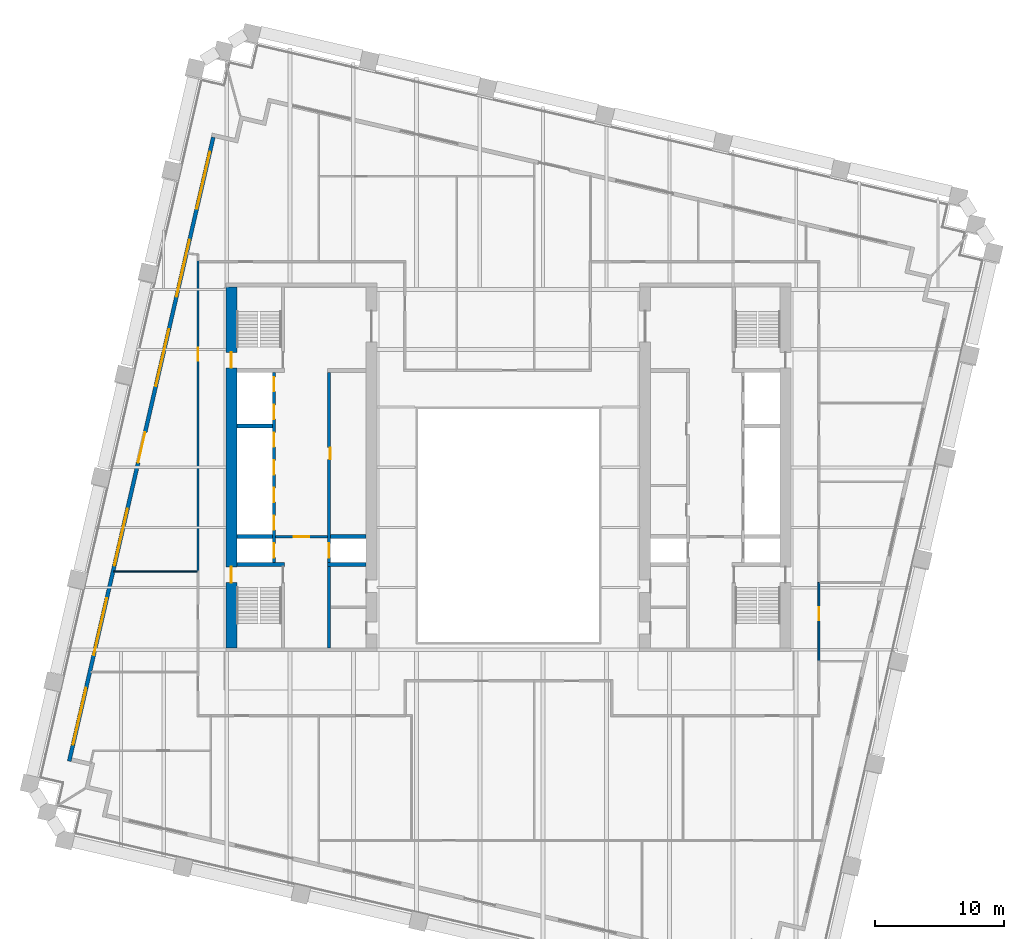
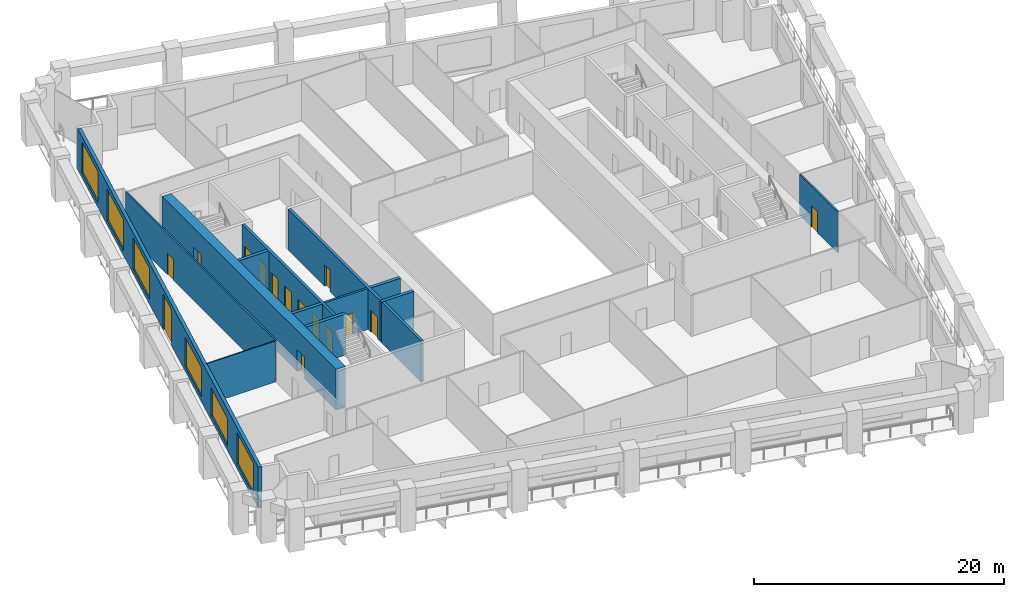
# One storey, part 5 of 9: 15 doors, 13 walls, 6 windows, 21 openings.
"""IFC4 building model written with IfcOpenShell, lengths in metres."""

from ifc_helpers import new_model, si_unit, direction, frame, frame_2d, origin, place, context, subcontext, project, spatial, rectangle, extrude, material, layer, layer_set, type_object, element, fill, save


model = new_model("IFC4")

# Units and contexts
model_context = context("Model", 3, precision=1e-05, world=origin(), true_north=direction((0.0, 1.0)))
body_context = subcontext(model_context, "Body", "Model", "MODEL_VIEW")
ifc_project = project(units=[si_unit("LENGTHUNIT", "METRE"), si_unit("AREAUNIT", "SQUARE_METRE"), si_unit("VOLUMEUNIT", "CUBIC_METRE"), si_unit("PLANEANGLEUNIT", "RADIAN"), si_unit("MASSUNIT", "GRAM", prefix="KILO")], contexts=[model_context])

# Site, building, storey
site_placement = place(None, origin())
site = spatial("IfcSite", under=ifc_project, at=site_placement, CompositionType="ELEMENT")
building_placement = place(site_placement, origin())
building = spatial("IfcBuilding", under=site, at=building_placement, Name="Ogive Exchange Tower", CompositionType="ELEMENT")
storey_placement = place(building_placement, frame((0.0, 0.0, 122.39990234375)))
storey = spatial("IfcBuildingStorey", under=building, at=storey_placement, Name="L26", CompositionType="ELEMENT", Elevation=122.39990234375)

# Wall, opening, door
ifc_material_1 = material(Name="Fire partition EI 60 150")
ifc_layer_1 = layer(ifc_material_1, 0.14990234375)
ifc_layer_set_1 = layer_set([ifc_layer_1], Name="Fire partition EI 60 150")
wall_type_1 = type_object("IfcWallType", Name="Fire partition EI 60 150", PredefinedType="PARTITIONING", material=ifc_layer_set_1)
wall_1_placement = place(storey_placement, frame((-24.0, 3.449951171875, 0.0), z_axis=(0.0, 0.0, 1.0), x_axis=(0.0, 1.0, 0.0)))
wall_1 = element("IfcWall", 1, at=wall_1_placement, inside=storey, type_object=wall_type_1, Name="L26-PWL-007", PredefinedType="PARTITIONING", context=body_context, shape_type="SweptSolid", body=[
    extrude(rectangle(XDim=24.025146484375, YDim=0.14990234375, at=frame_2d((12.0126953125, 0.0))), origin(), (0.0, 0.0, 1.0), 4.0),
])
opening_1_placement = place(wall_1_placement, frame((16.300048828125, 0.0, 0.0)))
opening_1 = element("IfcOpeningElement", 2, at=opening_1_placement, cuts=wall_1, Name="Opening L26-I19", PredefinedType="OPENING", context=body_context, shape_type="SweptSolid", body=[
    extrude(rectangle(XDim=1.0, YDim=2.10009765625, at=frame_2d((0.5, 1.050048828125))), frame((0.0, 0.0849609375, 0.0), z_axis=(0.0, -1.0, 0.0), x_axis=(1.0, 0.0, 0.0)), (0.0, 0.0, 1.0), 0.169921875),
])
ifc_material_2 = material(Name="Fire door FD 30S 1000 x 2100")
door_type_1 = type_object("IfcDoorType", Name="Fire door FD 30S 1000 x 2100", OperationType="NOTDEFINED", PredefinedType="DOOR", material=ifc_material_2)
door_1_placement = place(opening_1_placement, origin())
door_1 = element("IfcDoor", 3, at=door_1_placement, inside=storey, type_object=door_type_1, Name="L26-IDR-019", ObjectType="DT3", OperationType="SINGLE_SWING_LEFT", OverallHeight=2.10009765625, OverallWidth=1.0, PredefinedType="DOOR", context=body_context, shape_type="SweptSolid", body=[
    extrude(rectangle(XDim=1.0, YDim=2.10009765625, at=frame_2d((0.5, 1.050048828125))), frame((0.0, 0.02490234375, 0.0), z_axis=(0.0, -1.0, 0.0), x_axis=(1.0, 0.0, 0.0)), (0.0, 0.0, 1.0), 0.050048828125),
])
fill(opening_1, door_1)

wall_2_placement = place(storey_placement, frame((24.0, 2.610107421875, 0.0), z_axis=(0.0, 0.0, 1.0), x_axis=(0.0, -1.0, 0.0)))
wall_2 = element("IfcWall", 4, at=wall_2_placement, inside=storey, type_object=wall_type_1, Name="L26-PWL-059", PredefinedType="PARTITIONING", context=body_context, shape_type="SweptSolid", body=[
    extrude(rectangle(XDim=6.090087890625, YDim=0.14990234375, at=frame_2d((3.044921875, 0.0))), origin(), (0.0, 0.0, 1.0), 4.0),
])
opening_2_placement = place(wall_2_placement, frame((1.93994140625, 0.0, 0.0)))
opening_2 = element("IfcOpeningElement", 5, at=opening_2_placement, cuts=wall_2, Name="Opening L26-I08", PredefinedType="OPENING", context=body_context, shape_type="SweptSolid", body=[
    extrude(rectangle(XDim=1.0, YDim=2.10009765625, at=frame_2d((0.5, 1.050048828125))), frame((0.0, 0.0849609375, 0.0), z_axis=(0.0, -1.0, 0.0), x_axis=(1.0, 0.0, 0.0)), (0.0, 0.0, 1.0), 0.169921875),
])
door_2_placement = place(opening_2_placement, origin())
door_2 = element("IfcDoor", 6, at=door_2_placement, inside=storey, type_object=door_type_1, Name="L26-IDR-008", ObjectType="DT3", OperationType="SINGLE_SWING_RIGHT", OverallHeight=2.10009765625, OverallWidth=1.0, PredefinedType="DOOR", context=body_context, shape_type="SweptSolid", body=[
    extrude(rectangle(XDim=1.0, YDim=2.10009765625, at=frame_2d((0.5, 1.050048828125))), frame((0.0, 0.02490234375, 0.0), z_axis=(0.0, -1.0, 0.0), x_axis=(1.0, 0.0, 0.0)), (0.0, 0.0, 1.0), 0.050048828125),
])
fill(opening_2, door_2)

# Wall, openings, door, windows
ifc_material_3 = material(Name="Precast concrete C40/50", Category="concrete")
ifc_layer_2 = layer(ifc_material_3, 0.300048828125)
ifc_layer_set_2 = layer_set([ifc_layer_2], Name="Limestone-faced wall 300")
wall_type_2 = type_object("IfcWallType", Name="Limestone-faced wall 300", PredefinedType="STANDARD", material=ifc_layer_set_2)
wall_3_placement = place(storey_placement, frame((-22.8203125, 37.015625, 0.0), z_axis=(0.0, 0.0, 1.0), x_axis=(-0.224953880882, -0.974369412223, 0.0)))
wall_3 = element("IfcWall", 7, at=wall_3_placement, inside=storey, type_object=wall_type_2, Name="External wall W4", PredefinedType="STANDARD", context=body_context, shape_type="SweptSolid", body=[
    extrude(rectangle(XDim=49.500244140625, YDim=0.300048828125, at=frame_2d((24.75, 0.0))), origin(), (0.0, 0.0, 1.0), 4.0),
])
opening_3_placement = place(wall_3_placement, frame((1.156982421875, 0.0, 0.449951171875)))
opening_3 = element("IfcOpeningElement", 8, at=opening_3_placement, cuts=wall_3, Name="Opening W1", PredefinedType="OPENING", context=body_context, shape_type="SweptSolid", body=[
    extrude(rectangle(XDim=4.5, YDim=3.050048828125, at=frame_2d((2.25, 1.52490234375))), frame((0.0, 0.159912109375, 0.0), z_axis=(0.0, -1.0, 0.0), x_axis=(1.0, 0.0, 0.0)), (0.0, 0.0, 1.0), 0.320068359375),
])
opening_4_placement = place(wall_3_placement, frame((8.121337890625, 0.0, 0.449951171875)))
opening_4 = element("IfcOpeningElement", 9, at=opening_4_placement, cuts=wall_3, Name="Opening W1", PredefinedType="OPENING", context=body_context, shape_type="SweptSolid", body=[
    extrude(rectangle(XDim=4.5, YDim=3.050048828125, at=frame_2d((2.25, 1.52490234375))), frame((0.0, 0.159912109375, 0.0), z_axis=(0.0, -1.0, 0.0), x_axis=(1.0, 0.0, 0.0)), (0.0, 0.0, 1.0), 0.320068359375),
])
opening_5_placement = place(wall_3_placement, frame((15.235595703125, 0.0, 0.449951171875)))
opening_5 = element("IfcOpeningElement", 10, at=opening_5_placement, cuts=wall_3, Name="Opening W1", PredefinedType="OPENING", context=body_context, shape_type="SweptSolid", body=[
    extrude(rectangle(XDim=4.5, YDim=3.050048828125, at=frame_2d((2.25, 1.52490234375))), frame((0.0, 0.159912109375, 0.0), z_axis=(0.0, -1.0, 0.0), x_axis=(1.0, 0.0, 0.0)), (0.0, 0.0, 1.0), 0.320068359375),
])
opening_6_placement = place(wall_3_placement, frame((23.39990234375, 0.0, 0.0)))
opening_6 = element("IfcOpeningElement", 11, at=opening_6_placement, cuts=wall_3, Name="Opening D1", PredefinedType="OPENING", context=body_context, shape_type="SweptSolid", body=[
    extrude(rectangle(XDim=2.39990234375, YDim=3.5, at=frame_2d((1.199951171875, 1.75))), frame((0.0, 0.159912109375, 0.0), z_axis=(0.0, -1.0, 0.0), x_axis=(1.0, 0.0, 0.0)), (0.0, 0.0, 1.0), 0.320068359375),
])
opening_7_placement = place(wall_3_placement, frame((29.464111328125, 0.0, 0.449951171875)))
opening_7 = element("IfcOpeningElement", 12, at=opening_7_placement, cuts=wall_3, Name="Opening W1D", PredefinedType="OPENING", context=body_context, shape_type="SweptSolid", body=[
    extrude(rectangle(XDim=4.5, YDim=2.875, at=frame_2d((2.25, 1.4375))), frame((0.0, 0.159912109375, 0.0), z_axis=(0.0, -1.0, 0.0), x_axis=(1.0, 0.0, 0.0)), (0.0, 0.0, 1.0), 0.320068359375),
])
opening_8_placement = place(wall_3_placement, frame((36.57861328125, 0.0, 0.449951171875)))
opening_8 = element("IfcOpeningElement", 13, at=opening_8_placement, cuts=wall_3, Name="Opening W1J", PredefinedType="OPENING", context=body_context, shape_type="SweptSolid", body=[
    extrude(rectangle(XDim=4.5, YDim=2.675048828125, at=frame_2d((2.25, 1.33740234375))), frame((0.0, 0.159912109375, 0.0), z_axis=(0.0, -1.0, 0.0), x_axis=(1.0, 0.0, 0.0)), (0.0, 0.0, 1.0), 0.320068359375),
])
opening_9_placement = place(wall_3_placement, frame((43.69287109375, 0.0, 0.449951171875)))
opening_9 = element("IfcOpeningElement", 14, at=opening_9_placement, cuts=wall_3, Name="Opening W1", PredefinedType="OPENING", context=body_context, shape_type="SweptSolid", body=[
    extrude(rectangle(XDim=4.5, YDim=3.050048828125, at=frame_2d((2.25, 1.52490234375))), frame((0.0, 0.159912109375, 0.0), z_axis=(0.0, -1.0, 0.0), x_axis=(1.0, 0.0, 0.0)), (0.0, 0.0, 1.0), 0.320068359375),
])
ifc_material_4 = material(Name="Clear glass in bronze frame", Category="glass")
door_type_2 = type_object("IfcDoorType", Name="Sliding loggia door 2400 x 3500", OperationType="DOUBLE_DOOR_SLIDING", PredefinedType="DOOR", material=ifc_material_4)
door_3_placement = place(opening_6_placement, origin())
door_3 = element("IfcDoor", 15, at=door_3_placement, inside=storey, type_object=door_type_2, Name="Loggia door W03", OperationType="DOUBLE_DOOR_SLIDING", OverallHeight=3.5, OverallWidth=2.39990234375, PredefinedType="DOOR", context=body_context, shape_type="SweptSolid", body=[
    extrude(rectangle(XDim=2.39990234375, YDim=3.5, at=frame_2d((1.199951171875, 1.75))), frame((0.0, 0.02490234375, 0.0), z_axis=(0.0, -1.0, 0.0), x_axis=(1.0, 0.0, 0.0)), (0.0, 0.0, 1.0), 0.050048828125),
])
fill(opening_6, door_3)
window_type_1 = type_object("IfcWindowType", Name="Twin lancet window 4500 x 2675", PartitioningType="DOUBLE_PANEL_VERTICAL", PredefinedType="WINDOW", material=ifc_material_4)
window_1_placement = place(opening_8_placement, origin())
window_1 = element("IfcWindow", 16, at=window_1_placement, inside=storey, type_object=window_type_1, Name="Window W05", OverallHeight=2.675048828125, OverallWidth=4.5, PartitioningType="DOUBLE_PANEL_VERTICAL", PredefinedType="WINDOW", context=body_context, shape_type="SweptSolid", body=[
    extrude(rectangle(XDim=4.5, YDim=2.675048828125, at=frame_2d((2.25, 1.33740234375))), frame((0.0, 0.030029296875, 0.0), z_axis=(0.0, -1.0, 0.0), x_axis=(1.0, 0.0, 0.0)), (0.0, 0.0, 1.0), 0.06005859375),
])
fill(opening_8, window_1)
window_type_2 = type_object("IfcWindowType", Name="Twin lancet window 4500 x 2875", PartitioningType="DOUBLE_PANEL_VERTICAL", PredefinedType="WINDOW", material=ifc_material_4)
window_2_placement = place(opening_7_placement, origin())
window_2 = element("IfcWindow", 17, at=window_2_placement, inside=storey, type_object=window_type_2, Name="Window W04", OverallHeight=2.875, OverallWidth=4.5, PartitioningType="DOUBLE_PANEL_VERTICAL", PredefinedType="WINDOW", context=body_context, shape_type="SweptSolid", body=[
    extrude(rectangle(XDim=4.5, YDim=2.875, at=frame_2d((2.25, 1.4375))), frame((0.0, 0.030029296875, 0.0), z_axis=(0.0, -1.0, 0.0), x_axis=(1.0, 0.0, 0.0)), (0.0, 0.0, 1.0), 0.06005859375),
])
fill(opening_7, window_2)
window_type_3 = type_object("IfcWindowType", Name="Twin lancet window 4500 x 3050", PartitioningType="DOUBLE_PANEL_VERTICAL", PredefinedType="WINDOW", material=ifc_material_4)
window_3_placement = place(opening_3_placement, origin())
window_3 = element("IfcWindow", 18, at=window_3_placement, inside=storey, type_object=window_type_3, Name="Window W00", OverallHeight=3.050048828125, OverallWidth=4.5, PartitioningType="DOUBLE_PANEL_VERTICAL", PredefinedType="WINDOW", context=body_context, shape_type="SweptSolid", body=[
    extrude(rectangle(XDim=4.5, YDim=3.050048828125, at=frame_2d((2.25, 1.52490234375))), frame((0.0, 0.030029296875, 0.0), z_axis=(0.0, -1.0, 0.0), x_axis=(1.0, 0.0, 0.0)), (0.0, 0.0, 1.0), 0.06005859375),
])
fill(opening_3, window_3)
window_4_placement = place(opening_4_placement, origin())
window_4 = element("IfcWindow", 19, at=window_4_placement, inside=storey, type_object=window_type_3, Name="Window W01", OverallHeight=3.050048828125, OverallWidth=4.5, PartitioningType="DOUBLE_PANEL_VERTICAL", PredefinedType="WINDOW", context=body_context, shape_type="SweptSolid", body=[
    extrude(rectangle(XDim=4.5, YDim=3.050048828125, at=frame_2d((2.25, 1.52490234375))), frame((0.0, 0.030029296875, 0.0), z_axis=(0.0, -1.0, 0.0), x_axis=(1.0, 0.0, 0.0)), (0.0, 0.0, 1.0), 0.06005859375),
])
fill(opening_4, window_4)
window_5_placement = place(opening_5_placement, origin())
window_5 = element("IfcWindow", 20, at=window_5_placement, inside=storey, type_object=window_type_3, Name="Window W02", OverallHeight=3.050048828125, OverallWidth=4.5, PartitioningType="DOUBLE_PANEL_VERTICAL", PredefinedType="WINDOW", context=body_context, shape_type="SweptSolid", body=[
    extrude(rectangle(XDim=4.5, YDim=3.050048828125, at=frame_2d((2.25, 1.52490234375))), frame((0.0, 0.030029296875, 0.0), z_axis=(0.0, -1.0, 0.0), x_axis=(1.0, 0.0, 0.0)), (0.0, 0.0, 1.0), 0.06005859375),
])
fill(opening_5, window_5)
window_6_placement = place(opening_9_placement, origin())
window_6 = element("IfcWindow", 21, at=window_6_placement, inside=storey, type_object=window_type_3, Name="Window W06", OverallHeight=3.050048828125, OverallWidth=4.5, PartitioningType="DOUBLE_PANEL_VERTICAL", PredefinedType="WINDOW", context=body_context, shape_type="SweptSolid", body=[
    extrude(rectangle(XDim=4.5, YDim=3.050048828125, at=frame_2d((2.25, 1.52490234375))), frame((0.0, 0.030029296875, 0.0), z_axis=(0.0, -1.0, 0.0), x_axis=(1.0, 0.0, 0.0)), (0.0, 0.0, 1.0), 0.06005859375),
])
fill(opening_9, window_6)

# Wall
ifc_material_5 = material(Name="Partition 100 gypsum")
ifc_layer_3 = layer(ifc_material_5, 0.10009765625)
ifc_layer_set_3 = layer_set([ifc_layer_3], Name="Partition 100 gypsum")
wall_type_3 = type_object("IfcWallType", Name="Partition 100 gypsum", PredefinedType="PARTITIONING", material=ifc_layer_set_3)
wall_4_placement = place(storey_placement, frame((-24.074951171875, 3.449951171875, 0.0), z_axis=(0.0, 0.0, 1.0), x_axis=(-1.0, 0.0, 0.0)))
element("IfcWall", 22, at=wall_4_placement, inside=storey, type_object=wall_type_3, Name="L26-PWL-006", PredefinedType="PARTITIONING", context=body_context, shape_type="SweptSolid", body=[
    extrude(rectangle(XDim=6.423095703125, YDim=0.10009765625, at=frame_2d((3.21142578125, 0.0))), origin(), (0.0, 0.0, 1.0), 4.0),
])

# Wall, opening, door
ifc_material_6 = material(Name="Concrete C70/85", Category="concrete")
ifc_layer_4 = layer(ifc_material_6, 0.199951171875)
ifc_layer_set_4 = layer_set([ifc_layer_4], Name="RC core wall 200 C70/85")
wall_type_4 = type_object("IfcWallType", Name="RC core wall 200 C70/85", PredefinedType="SHEAR", material=ifc_layer_set_4)
wall_5_placement = place(storey_placement, frame((-18.0, 6.142822265625, 0.0), z_axis=(0.0, 0.0, 1.0), x_axis=(1.0, 0.0, 0.0)))
wall_5 = element("IfcWall", 23, at=wall_5_placement, inside=storey, type_object=wall_type_4, Name="W firefighting lobby wall", PredefinedType="SHEAR", context=body_context, shape_type="SweptSolid", body=[
    extrude(rectangle(XDim=4.0, YDim=0.199951171875, at=frame_2d((2.0, 0.0))), origin(), (0.0, 0.0, 1.0), 4.0),
])
opening_10_placement = place(wall_5_placement, frame((1.39990234375, 0.0, 0.0)))
opening_10 = element("IfcOpeningElement", 24, at=opening_10_placement, cuts=wall_5, Name="Opening L26-C10", PredefinedType="OPENING", context=body_context, shape_type="SweptSolid", body=[
    extrude(rectangle(XDim=1.199951171875, YDim=2.10009765625, at=frame_2d((0.60009765625, 1.050048828125))), frame((0.0, 0.10986328125, 0.0), z_axis=(0.0, -1.0, 0.0), x_axis=(1.0, 0.0, 0.0)), (0.0, 0.0, 1.0), 0.219970703125),
])
ifc_material_7 = material(Name="Steel fire door", Category="steel")
door_type_3 = type_object("IfcDoorType", Name="Firefighting lobby door FD60 1200 x 2100", OperationType="NOTDEFINED", PredefinedType="DOOR", material=ifc_material_7)
door_4_placement = place(opening_10_placement, frame((1.199951171875, 0.0, 0.0), z_axis=(0.0, 0.0, 1.0), x_axis=(-1.0, 0.0, 0.0)))
door_4 = element("IfcDoor", 25, at=door_4_placement, inside=storey, type_object=door_type_3, Name="Firefighting lobby door", ObjectType="CD3", OperationType="SINGLE_SWING_RIGHT", OverallHeight=2.10009765625, OverallWidth=1.199951171875, PredefinedType="DOOR", context=body_context, shape_type="SweptSolid", body=[
    extrude(rectangle(XDim=1.199951171875, YDim=2.10009765625, at=frame_2d((0.60009765625, 1.050048828125))), frame((0.0, 0.02490234375, 0.0), z_axis=(0.0, -1.0, 0.0), x_axis=(1.0, 0.0, 0.0)), (0.0, 0.0, 1.0), 0.050048828125),
])
fill(opening_10, door_4)

# Wall, openings, doors
ifc_layer_5 = layer(ifc_material_6, 0.25)
ifc_layer_set_5 = layer_set([ifc_layer_5], Name="RC core wall 250 C70/85")
wall_type_5 = type_object("IfcWallType", Name="RC core wall 250 C70/85", PredefinedType="SHEAR", material=ifc_layer_set_5)
wall_6_placement = place(storey_placement, frame((-18.125, 4.14990234375, 0.0), z_axis=(0.0, 0.0, 1.0), x_axis=(0.0, 1.0, 0.0)))
wall_6 = element("IfcWall", 26, at=wall_6_placement, inside=storey, type_object=wall_type_5, Name="W row A front wall", PredefinedType="SHEAR", context=body_context, shape_type="SweptSolid", body=[
    extrude(rectangle(XDim=14.7001953125, YDim=0.25, at=frame_2d((7.35009765625, 0.0))), origin(), (0.0, 0.0, 1.0), 4.0),
])
opening_11_placement = place(wall_6_placement, frame((0.371337890625, 0.0, 0.0)))
opening_11 = element("IfcOpeningElement", 27, at=opening_11_placement, cuts=wall_6, Name="Opening L26-C01", PredefinedType="OPENING", context=body_context, shape_type="SweptSolid", body=[
    extrude(rectangle(XDim=1.10009765625, YDim=2.10009765625, at=frame_2d((0.550048828125, 1.050048828125))), frame((0.0, 0.135009765625, 0.0), z_axis=(0.0, -1.0, 0.0), x_axis=(1.0, 0.0, 0.0)), (0.0, 0.0, 1.0), 0.27001953125),
])
opening_12_placement = place(wall_6_placement, frame((2.514404296875, 0.0, 0.0)))
opening_12 = element("IfcOpeningElement", 28, at=opening_12_placement, cuts=wall_6, Name="Opening L26-C02", PredefinedType="OPENING", context=body_context, shape_type="SweptSolid", body=[
    extrude(rectangle(XDim=1.10009765625, YDim=2.10009765625, at=frame_2d((0.550048828125, 1.050048828125))), frame((0.0, 0.135009765625, 0.0), z_axis=(0.0, -1.0, 0.0), x_axis=(1.0, 0.0, 0.0)), (0.0, 0.0, 1.0), 0.27001953125),
])
opening_13_placement = place(wall_6_placement, frame((4.656982421875, 0.0, 0.0)))
opening_13 = element("IfcOpeningElement", 29, at=opening_13_placement, cuts=wall_6, Name="Opening L26-C03", PredefinedType="OPENING", context=body_context, shape_type="SweptSolid", body=[
    extrude(rectangle(XDim=1.10009765625, YDim=2.10009765625, at=frame_2d((0.550048828125, 1.050048828125))), frame((0.0, 0.135009765625, 0.0), z_axis=(0.0, -1.0, 0.0), x_axis=(1.0, 0.0, 0.0)), (0.0, 0.0, 1.0), 0.27001953125),
])
opening_14_placement = place(wall_6_placement, frame((6.800048828125, 0.0, 0.0)))
opening_14 = element("IfcOpeningElement", 30, at=opening_14_placement, cuts=wall_6, Name="Opening L26-C04", PredefinedType="OPENING", context=body_context, shape_type="SweptSolid", body=[
    extrude(rectangle(XDim=1.10009765625, YDim=2.10009765625, at=frame_2d((0.550048828125, 1.050048828125))), frame((0.0, 0.135009765625, 0.0), z_axis=(0.0, -1.0, 0.0), x_axis=(1.0, 0.0, 0.0)), (0.0, 0.0, 1.0), 0.27001953125),
])
opening_15_placement = place(wall_6_placement, frame((8.94287109375, 0.0, 0.0)))
opening_15 = element("IfcOpeningElement", 31, at=opening_15_placement, cuts=wall_6, Name="Opening L26-C05", PredefinedType="OPENING", context=body_context, shape_type="SweptSolid", body=[
    extrude(rectangle(XDim=1.10009765625, YDim=2.10009765625, at=frame_2d((0.550048828125, 1.050048828125))), frame((0.0, 0.135009765625, 0.0), z_axis=(0.0, -1.0, 0.0), x_axis=(1.0, 0.0, 0.0)), (0.0, 0.0, 1.0), 0.27001953125),
])
opening_16_placement = place(wall_6_placement, frame((11.085693359375, 0.0, 0.0)))
opening_16 = element("IfcOpeningElement", 32, at=opening_16_placement, cuts=wall_6, Name="Opening L26-C06", PredefinedType="OPENING", context=body_context, shape_type="SweptSolid", body=[
    extrude(rectangle(XDim=1.10009765625, YDim=2.10009765625, at=frame_2d((0.550048828125, 1.050048828125))), frame((0.0, 0.135009765625, 0.0), z_axis=(0.0, -1.0, 0.0), x_axis=(1.0, 0.0, 0.0)), (0.0, 0.0, 1.0), 0.27001953125),
])
opening_17_placement = place(wall_6_placement, frame((13.228515625, 0.0, 0.0)))
opening_17 = element("IfcOpeningElement", 33, at=opening_17_placement, cuts=wall_6, Name="Opening L26-C07", PredefinedType="OPENING", context=body_context, shape_type="SweptSolid", body=[
    extrude(rectangle(XDim=1.10009765625, YDim=2.10009765625, at=frame_2d((0.550048828125, 1.050048828125))), frame((0.0, 0.135009765625, 0.0), z_axis=(0.0, -1.0, 0.0), x_axis=(1.0, 0.0, 0.0)), (0.0, 0.0, 1.0), 0.27001953125),
])
ifc_material_8 = material(Name="Stainless steel", Category="steel")
door_type_4 = type_object("IfcDoorType", Name="Lift landing door FD90 1100 x 2100", OperationType="SLIDING_TO_LEFT", PredefinedType="DOOR", material=ifc_material_8)
door_5_placement = place(opening_11_placement, origin())
door_5 = element("IfcDoor", 34, at=door_5_placement, inside=storey, type_object=door_type_4, Name="Lift landing door FF1", ObjectType="LD", OperationType="SLIDING_TO_LEFT", OverallHeight=2.10009765625, OverallWidth=1.10009765625, PredefinedType="DOOR", context=body_context, shape_type="SweptSolid", body=[
    extrude(rectangle(XDim=1.10009765625, YDim=2.10009765625, at=frame_2d((0.550048828125, 1.050048828125))), frame((0.0, 0.02490234375, 0.0), z_axis=(0.0, -1.0, 0.0), x_axis=(1.0, 0.0, 0.0)), (0.0, 0.0, 1.0), 0.050048828125),
])
fill(opening_11, door_5)
door_6_placement = place(opening_12_placement, origin())
door_6 = element("IfcDoor", 35, at=door_6_placement, inside=storey, type_object=door_type_4, Name="Lift landing door W-L1", ObjectType="LD", OperationType="SLIDING_TO_LEFT", OverallHeight=2.10009765625, OverallWidth=1.10009765625, PredefinedType="DOOR", context=body_context, shape_type="SweptSolid", body=[
    extrude(rectangle(XDim=1.10009765625, YDim=2.10009765625, at=frame_2d((0.550048828125, 1.050048828125))), frame((0.0, 0.02490234375, 0.0), z_axis=(0.0, -1.0, 0.0), x_axis=(1.0, 0.0, 0.0)), (0.0, 0.0, 1.0), 0.050048828125),
])
fill(opening_12, door_6)
door_7_placement = place(opening_13_placement, origin())
door_7 = element("IfcDoor", 36, at=door_7_placement, inside=storey, type_object=door_type_4, Name="Lift landing door W-L2", ObjectType="LD", OperationType="SLIDING_TO_LEFT", OverallHeight=2.10009765625, OverallWidth=1.10009765625, PredefinedType="DOOR", context=body_context, shape_type="SweptSolid", body=[
    extrude(rectangle(XDim=1.10009765625, YDim=2.10009765625, at=frame_2d((0.550048828125, 1.050048828125))), frame((0.0, 0.02490234375, 0.0), z_axis=(0.0, -1.0, 0.0), x_axis=(1.0, 0.0, 0.0)), (0.0, 0.0, 1.0), 0.050048828125),
])
fill(opening_13, door_7)
door_8_placement = place(opening_14_placement, origin())
door_8 = element("IfcDoor", 37, at=door_8_placement, inside=storey, type_object=door_type_4, Name="Lift landing door W-L3", ObjectType="LD", OperationType="SLIDING_TO_LEFT", OverallHeight=2.10009765625, OverallWidth=1.10009765625, PredefinedType="DOOR", context=body_context, shape_type="SweptSolid", body=[
    extrude(rectangle(XDim=1.10009765625, YDim=2.10009765625, at=frame_2d((0.550048828125, 1.050048828125))), frame((0.0, 0.02490234375, 0.0), z_axis=(0.0, -1.0, 0.0), x_axis=(1.0, 0.0, 0.0)), (0.0, 0.0, 1.0), 0.050048828125),
])
fill(opening_14, door_8)
door_9_placement = place(opening_15_placement, origin())
door_9 = element("IfcDoor", 38, at=door_9_placement, inside=storey, type_object=door_type_4, Name="Lift landing door W-L4", ObjectType="LD", OperationType="SLIDING_TO_LEFT", OverallHeight=2.10009765625, OverallWidth=1.10009765625, PredefinedType="DOOR", context=body_context, shape_type="SweptSolid", body=[
    extrude(rectangle(XDim=1.10009765625, YDim=2.10009765625, at=frame_2d((0.550048828125, 1.050048828125))), frame((0.0, 0.02490234375, 0.0), z_axis=(0.0, -1.0, 0.0), x_axis=(1.0, 0.0, 0.0)), (0.0, 0.0, 1.0), 0.050048828125),
])
fill(opening_15, door_9)
door_10_placement = place(opening_16_placement, origin())
door_10 = element("IfcDoor", 39, at=door_10_placement, inside=storey, type_object=door_type_4, Name="Lift landing door W-SH1", ObjectType="LD", OperationType="SLIDING_TO_LEFT", OverallHeight=2.10009765625, OverallWidth=1.10009765625, PredefinedType="DOOR", context=body_context, shape_type="SweptSolid", body=[
    extrude(rectangle(XDim=1.10009765625, YDim=2.10009765625, at=frame_2d((0.550048828125, 1.050048828125))), frame((0.0, 0.02490234375, 0.0), z_axis=(0.0, -1.0, 0.0), x_axis=(1.0, 0.0, 0.0)), (0.0, 0.0, 1.0), 0.050048828125),
])
fill(opening_16, door_10)
door_11_placement = place(opening_17_placement, origin())
door_11 = element("IfcDoor", 40, at=door_11_placement, inside=storey, type_object=door_type_4, Name="Lift landing door W-SH2", ObjectType="LD", OperationType="SLIDING_TO_LEFT", OverallHeight=2.10009765625, OverallWidth=1.10009765625, PredefinedType="DOOR", context=body_context, shape_type="SweptSolid", body=[
    extrude(rectangle(XDim=1.10009765625, YDim=2.10009765625, at=frame_2d((0.550048828125, 1.050048828125))), frame((0.0, 0.02490234375, 0.0), z_axis=(0.0, -1.0, 0.0), x_axis=(1.0, 0.0, 0.0)), (0.0, 0.0, 1.0), 0.050048828125),
])
fill(opening_17, door_11)

wall_7_placement = place(storey_placement, frame((-13.875, -2.449951171875, 0.0), z_axis=(0.0, 0.0, 1.0), x_axis=(0.0, 1.0, 0.0)))
wall_7 = element("IfcWall", 41, at=wall_7_placement, inside=storey, type_object=wall_type_5, Name="W row B front wall", PredefinedType="SHEAR", context=body_context, shape_type="SweptSolid", body=[
    extrude(rectangle(XDim=21.300048828125, YDim=0.25, at=frame_2d((10.64990234375, 0.0))), origin(), (0.0, 0.0, 1.0), 4.0),
])
opening_18_placement = place(wall_7_placement, frame((14.5712890625, 0.0, 0.0)))
opening_18 = element("IfcOpeningElement", 42, at=opening_18_placement, cuts=wall_7, Name="Opening L26-C08", PredefinedType="OPENING", context=body_context, shape_type="SweptSolid", body=[
    extrude(rectangle(XDim=0.89990234375, YDim=2.10009765625, at=frame_2d((0.449951171875, 1.050048828125))), frame((0.0, 0.135009765625, 0.0), z_axis=(0.0, -1.0, 0.0), x_axis=(1.0, 0.0, 0.0)), (0.0, 0.0, 1.0), 0.27001953125),
])
opening_19_placement = place(wall_7_placement, frame((6.971435546875, 0.0, 0.0)))
opening_19 = element("IfcOpeningElement", 43, at=opening_19_placement, cuts=wall_7, Name="Opening L26-C09", PredefinedType="OPENING", context=body_context, shape_type="SweptSolid", body=[
    extrude(rectangle(XDim=1.10009765625, YDim=2.10009765625, at=frame_2d((0.550048828125, 1.050048828125))), frame((0.0, 0.135009765625, 0.0), z_axis=(0.0, -1.0, 0.0), x_axis=(1.0, 0.0, 0.0)), (0.0, 0.0, 1.0), 0.27001953125),
])
door_12_placement = place(opening_19_placement, origin())
door_12 = element("IfcDoor", 44, at=door_12_placement, inside=storey, type_object=door_type_4, Name="Lift landing door SV1", ObjectType="LD", OperationType="SLIDING_TO_LEFT", OverallHeight=2.10009765625, OverallWidth=1.10009765625, PredefinedType="DOOR", context=body_context, shape_type="SweptSolid", body=[
    extrude(rectangle(XDim=1.10009765625, YDim=2.10009765625, at=frame_2d((0.550048828125, 1.050048828125))), frame((0.0, 0.02490234375, 0.0), z_axis=(0.0, -1.0, 0.0), x_axis=(1.0, 0.0, 0.0)), (0.0, 0.0, 1.0), 0.050048828125),
])
fill(opening_19, door_12)
door_type_5 = type_object("IfcDoorType", Name="Riser door FD60 900 x 2100", OperationType="NOTDEFINED", PredefinedType="DOOR", material=ifc_material_7)
door_13_placement = place(opening_18_placement, frame((0.89990234375, -0.2001953125, 0.0), z_axis=(0.0, 0.0, 1.0), x_axis=(-1.0, 0.0, 0.0)))
door_13 = element("IfcDoor", 45, at=door_13_placement, inside=storey, type_object=door_type_5, Name="Riser door", ObjectType="CD2", OperationType="SINGLE_SWING_LEFT", OverallHeight=2.10009765625, OverallWidth=0.89990234375, PredefinedType="DOOR", context=body_context, shape_type="SweptSolid", body=[
    extrude(rectangle(XDim=0.89990234375, YDim=2.10009765625, at=frame_2d((0.449951171875, 1.050048828125))), frame((0.0, -0.0751953125, 0.0), z_axis=(0.0, -1.0, 0.0), x_axis=(1.0, 0.0, 0.0)), (0.0, 0.0, 1.0), 0.050048828125),
])
fill(opening_18, door_13)

# Walls
ifc_layer_6 = layer(ifc_material_6, 0.300048828125)
ifc_layer_set_6 = layer_set([ifc_layer_6], Name="RC core wall 300 C70/85")
wall_type_6 = type_object("IfcWallType", Name="RC core wall 300 C70/85", PredefinedType="SHEAR", material=ifc_layer_set_6)
wall_8_placement = place(storey_placement, frame((-21.0, 4.0, 0.0), z_axis=(0.0, 0.0, 1.0), x_axis=(1.0, 0.0, 0.0)))
element("IfcWall", 46, at=wall_8_placement, inside=storey, type_object=wall_type_6, Name="W stair S north wall", PredefinedType="SHEAR", context=body_context, shape_type="SweptSolid", body=[
    extrude(rectangle(XDim=3.699951171875, YDim=0.300048828125, at=frame_2d((1.85009765625, 0.0))), origin(), (0.0, 0.0, 1.0), 4.0),
])
for number, where, z_axis, x_axis, name in (
    (47, (-21.0, 6.142822265625, 0.0), (0.0, 0.0, 1.0), (1.0, 0.0, 0.0), "W row A divider 1"),
    (48, (-21.0, 14.71435546875, 0.0), (0.0, 0.0, 1.0), (1.0, 0.0, 0.0), "W row A divider 5"),
):
    element("IfcWall", number, at=place(storey_placement, frame(where, z_axis=z_axis, x_axis=x_axis)), inside=storey, type_object=wall_type_6, Name=name, PredefinedType="SHEAR", context=body_context, shape_type="SweptSolid", body=[
        extrude(rectangle(XDim=2.75, YDim=0.300048828125, at=frame_2d((1.375, 0.0))), origin(), (0.0, 0.0, 1.0), 4.0),
    ])
wall_9_placement = place(storey_placement, frame((-14.0, 4.0, 0.0), z_axis=(0.0, 0.0, 1.0), x_axis=(1.0, 0.0, 0.0)))
element("IfcWall", 49, at=wall_9_placement, inside=storey, type_object=wall_type_6, Name="W row B divider 0", PredefinedType="SHEAR", context=body_context, shape_type="SweptSolid", body=[
    extrude(rectangle(XDim=3.0, YDim=0.300048828125, at=frame_2d((1.5, 0.0))), origin(), (0.0, 0.0, 1.0), 4.0),
])
wall_10_placement = place(storey_placement, frame((-13.75, 6.142822265625, 0.0), z_axis=(0.0, 0.0, 1.0), x_axis=(1.0, 0.0, 0.0)))
element("IfcWall", 50, at=wall_10_placement, inside=storey, type_object=wall_type_6, Name="W row B divider 1", PredefinedType="SHEAR", context=body_context, shape_type="SweptSolid", body=[
    extrude(rectangle(XDim=2.75, YDim=0.300048828125, at=frame_2d((1.375, 0.0))), origin(), (0.0, 0.0, 1.0), 4.0),
])

# Wall, openings, doors
ifc_layer_7 = layer(ifc_material_6, 0.85009765625)
ifc_layer_set_7 = layer_set([ifc_layer_7], Name="RC core wall 850 C70/85")
wall_type_7 = type_object("IfcWallType", Name="RC core wall 850 C70/85", PredefinedType="SHEAR", material=ifc_layer_set_7)
wall_11_placement = place(storey_placement, frame((-21.425048828125, -2.449951171875, 0.0), z_axis=(0.0, 0.0, 1.0), x_axis=(0.0, 1.0, 0.0)))
wall_11 = element("IfcWall", 51, at=wall_11_placement, inside=storey, type_object=wall_type_7, Name="W outer wall", PredefinedType="SHEAR", context=body_context, shape_type="SweptSolid", body=[
    extrude(rectangle(XDim=27.89990234375, YDim=0.85009765625, at=frame_2d((13.949951171875, 0.0))), origin(), (0.0, 0.0, 1.0), 4.0),
])
opening_20_placement = place(wall_11_placement, frame((5.050048828125, 0.0, 0.0)))
opening_20 = element("IfcOpeningElement", 52, at=opening_20_placement, cuts=wall_11, Name="Opening L26-C13", PredefinedType="OPENING", context=body_context, shape_type="SweptSolid", body=[
    extrude(rectangle(XDim=1.199951171875, YDim=2.10009765625, at=frame_2d((0.60009765625, 1.050048828125))), frame((0.0, 0.43505859375, 0.0), z_axis=(0.0, -1.0, 0.0), x_axis=(1.0, 0.0, 0.0)), (0.0, 0.0, 1.0), 0.8701171875),
])
opening_21_placement = place(wall_11_placement, frame((21.64990234375, 0.0, 0.0)))
opening_21 = element("IfcOpeningElement", 53, at=opening_21_placement, cuts=wall_11, Name="Opening L26-C15", PredefinedType="OPENING", context=body_context, shape_type="SweptSolid", body=[
    extrude(rectangle(XDim=1.199951171875, YDim=2.10009765625, at=frame_2d((0.60009765625, 1.050048828125))), frame((0.0, 0.43505859375, 0.0), z_axis=(0.0, -1.0, 0.0), x_axis=(1.0, 0.0, 0.0)), (0.0, 0.0, 1.0), 0.8701171875),
])
door_type_6 = type_object("IfcDoorType", Name="Stair door FD90 1200 x 2100", OperationType="NOTDEFINED", PredefinedType="DOOR", material=ifc_material_7)
door_14_placement = place(opening_20_placement, frame((1.199951171875, 0.0, 0.0), z_axis=(0.0, 0.0, 1.0), x_axis=(-1.0, 0.0, 0.0)))
door_14 = element("IfcDoor", 54, at=door_14_placement, inside=storey, type_object=door_type_6, Name="Stair door", ObjectType="CD5", OperationType="SINGLE_SWING_RIGHT", OverallHeight=2.10009765625, OverallWidth=1.199951171875, PredefinedType="DOOR", context=body_context, shape_type="SweptSolid", body=[
    extrude(rectangle(XDim=1.199951171875, YDim=2.10009765625, at=frame_2d((0.60009765625, 1.050048828125))), frame((0.0, 0.02490234375, 0.0), z_axis=(0.0, -1.0, 0.0), x_axis=(1.0, 0.0, 0.0)), (0.0, 0.0, 1.0), 0.050048828125),
])
fill(opening_20, door_14)
door_15_placement = place(opening_21_placement, frame((1.199951171875, 0.0, 0.0), z_axis=(0.0, 0.0, 1.0), x_axis=(-1.0, 0.0, 0.0)))
door_15 = element("IfcDoor", 55, at=door_15_placement, inside=storey, type_object=door_type_6, Name="Stair door", ObjectType="CD5", OperationType="SINGLE_SWING_LEFT", OverallHeight=2.10009765625, OverallWidth=1.199951171875, PredefinedType="DOOR", context=body_context, shape_type="SweptSolid", body=[
    extrude(rectangle(XDim=1.199951171875, YDim=2.10009765625, at=frame_2d((0.60009765625, 1.050048828125))), frame((0.0, 0.02490234375, 0.0), z_axis=(0.0, -1.0, 0.0), x_axis=(1.0, 0.0, 0.0)), (0.0, 0.0, 1.0), 0.050048828125),
])
fill(opening_21, door_15)

save(model, "model.ifc")
